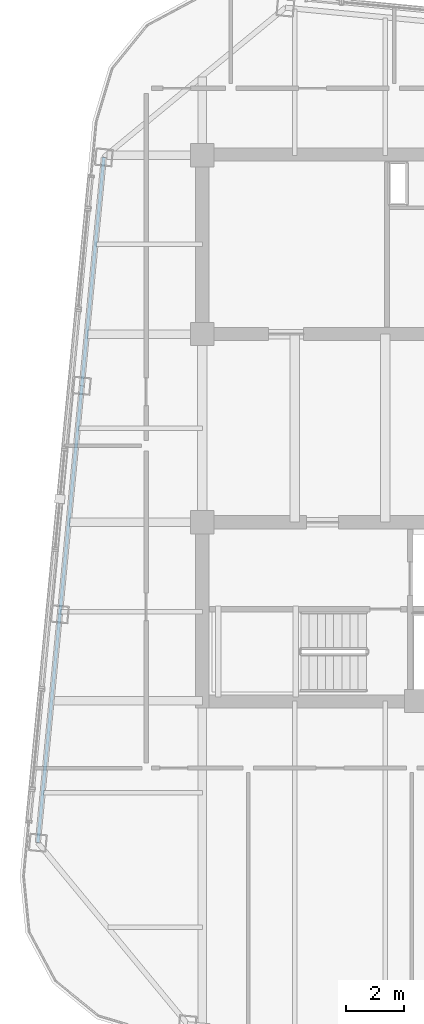
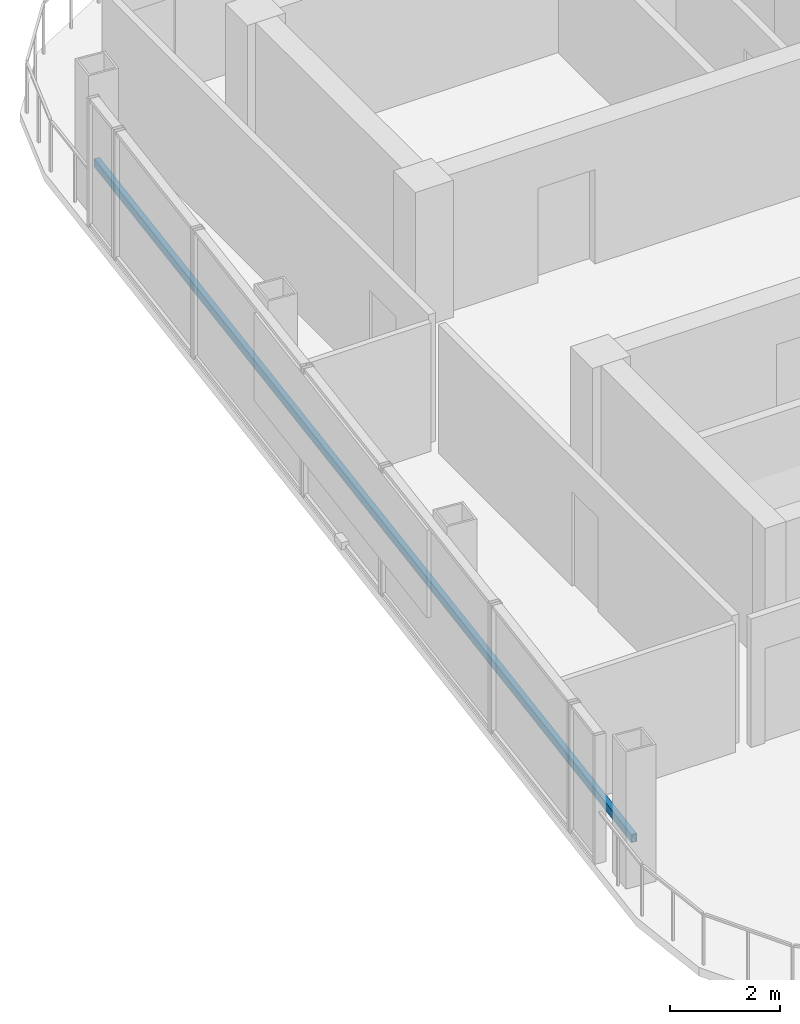
# One storey, part 8 of 27: 1 member.
"""IFC4 building model written with IfcOpenShell, lengths in metres."""

from ifc_helpers import new_model, si_unit, direction, frame, origin, origin_2d, place, context, subcontext, project, spatial, hollow_rectangle, extrude, material, material_profile, profile_set, type_object, element, save


model = new_model("IFC4")

# Units and contexts
model_context = context("Model", 3, precision=1e-05, world=origin(), true_north=direction((0.0, 1.0)))
body_context = subcontext(model_context, "Body", "Model", "MODEL_VIEW")
ifc_project = project(units=[si_unit("LENGTHUNIT", "METRE"), si_unit("AREAUNIT", "SQUARE_METRE"), si_unit("VOLUMEUNIT", "CUBIC_METRE"), si_unit("PLANEANGLEUNIT", "RADIAN"), si_unit("MASSUNIT", "GRAM", prefix="KILO")], contexts=[model_context])

# Site, building, storey
site_placement = place(None, origin())
site = spatial("IfcSite", under=ifc_project, at=site_placement, CompositionType="ELEMENT")
building_placement = place(site_placement, origin())
building = spatial("IfcBuilding", under=site, at=building_placement, Name="Qhalaya Broadcast Tower", CompositionType="ELEMENT")
storey_placement = place(building_placement, frame((0.0, 0.0, 258.10009765625)))
storey = spatial("IfcBuildingStorey", under=building, at=storey_placement, Name="L76", CompositionType="ELEMENT", Elevation=258.10009765625)

# Member
ifc_material = material(Name="Fired Architectural Terracotta", Category="masonry")
ifc_material_profile = material_profile(ifc_material, hollow_rectangle(XDim=0.110107421875, YDim=0.179931640625, WallThickness=0.01806640625, at=origin_2d()), Name="TB-BAG 110x180x18")
ifc_profile_set = profile_set([ifc_material_profile], Name="Fired Architectural Terracotta")
member_type = type_object("IfcMemberType", Name="Fired Terracotta Facade Baguette Member TB1", PredefinedType="USERDEFINED", material=ifc_profile_set)
member_placement = place(storey_placement, frame((-12.74853515625, 9.883056640625, 0.85791015625), z_axis=(-0.095845460331, -0.995396226502, 0.0), x_axis=(0.995396226502, -0.095845460331, 0.0)))
element("IfcMember", 1, at=member_placement, inside=storey, type_object=member_type, Name="L76 Terracotta Baguette Feature Rail W", ObjectType="BAGUETTE", PredefinedType="USERDEFINED", context=body_context, shape_type="SweptSolid", body=[
    extrude(hollow_rectangle(XDim=0.110107421875, YDim=0.179931640625, WallThickness=0.01806640625, at=origin_2d()), origin(), (0.0, 0.0, 1.0), 23.60009765625),
])

save(model, "model.ifc")
